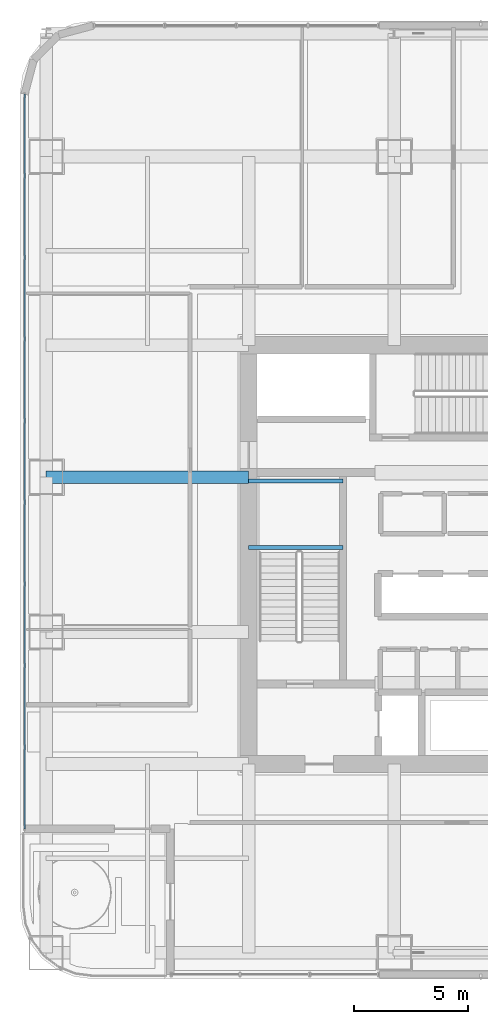
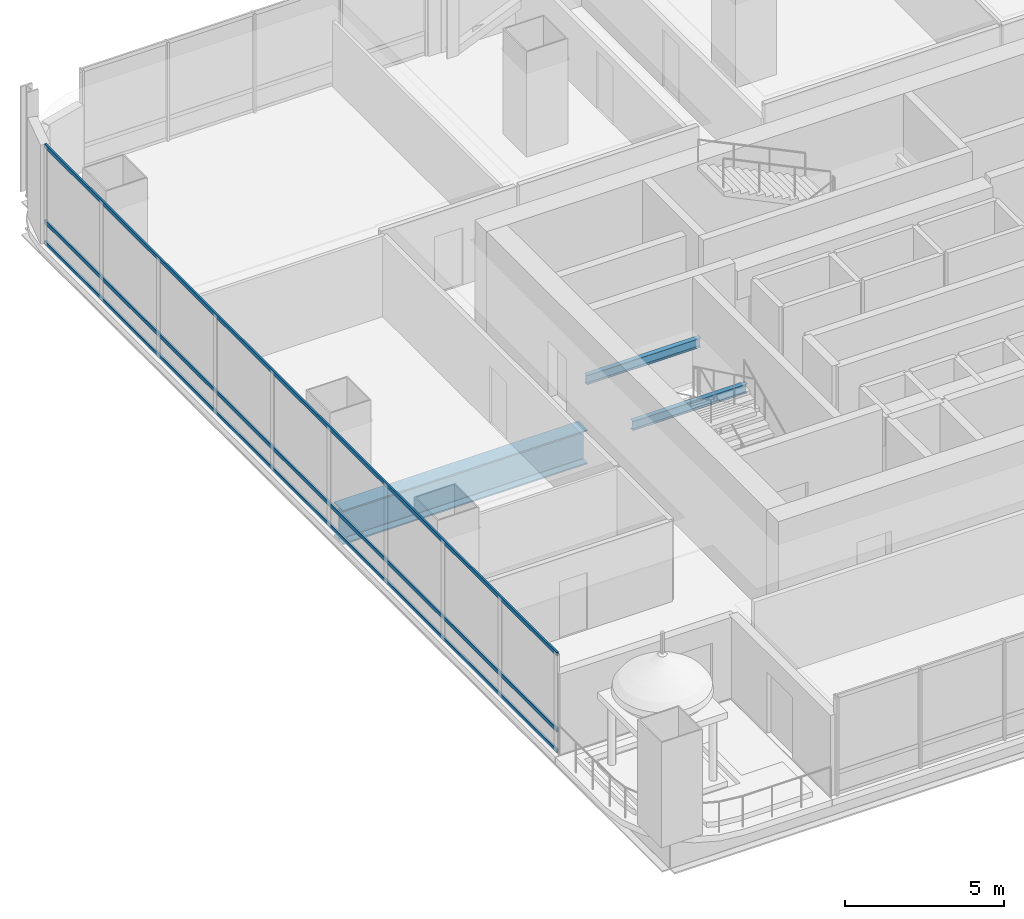
# One storey, part 8 of 37: 3 beams, 3 members, 1 element without a shape of its own.
"""IFC4 building model written with IfcOpenShell, lengths in metres."""

from ifc_helpers import new_model, si_unit, direction, frame, origin, origin_2d, place, context, subcontext, project, spatial, hollow_rectangle, i_section, extrude, material, material_profile, profile_set, type_object, element, aggregate, save


model = new_model("IFC4")

# Units and contexts
model_context = context("Model", 3, precision=1e-05, world=origin(), true_north=direction((0.0, 1.0)))
body_context = subcontext(model_context, "Body", "Model", "MODEL_VIEW")
ifc_project = project(units=[si_unit("LENGTHUNIT", "METRE"), si_unit("AREAUNIT", "SQUARE_METRE"), si_unit("VOLUMEUNIT", "CUBIC_METRE"), si_unit("PLANEANGLEUNIT", "RADIAN"), si_unit("MASSUNIT", "GRAM", prefix="KILO")], contexts=[model_context])

# Site, building, storey
site_placement = place(None, origin())
site = spatial("IfcSite", under=ifc_project, at=site_placement, CompositionType="ELEMENT")
building_placement = place(site_placement, origin())
building = spatial("IfcBuilding", under=site, at=building_placement, Name="Punatoya Terracotta Tower", CompositionType="ELEMENT")
storey_placement = place(building_placement, frame((0.0, 0.0, 109.199951171875)))
storey = spatial("IfcBuildingStorey", under=building, at=storey_placement, Name="L25", CompositionType="ELEMENT", Elevation=109.199951171875)

# Beams
ifc_material_1 = material(Name="Steel S355", Category="steel")
ifc_material_profile_1 = material_profile(ifc_material_1, i_section(OverallWidth=0.169921875, OverallDepth=0.360107421875, WebThickness=0.008056640625, FlangeThickness=0.0126953125, FilletRadius=0.01806640625, at=origin_2d()))
ifc_profile_set_1 = profile_set([ifc_material_profile_1], Name="Steel S355")
beam_type_1 = type_object("IfcBeamType", Name="BM-SEC-360", PredefinedType="JOIST", material=ifc_profile_set_1)
for number, where, z_axis, x_axis, name in (
    (1, (-10.199951171875, 0.320068359375, 1.64501953125), (1.0, 0.0, 0.0), (0.0, 1.0, 0.0), "BM-L25-ST-1-LD1A"),
    (2, (-10.199951171875, 3.22998046875, 1.64501953125), (1.0, 0.0, 0.0), (0.0, 1.0, 0.0), "BM-L25-ST-1-LD1B"),
):
    element("IfcBeam", number, at=place(storey_placement, frame(where, z_axis=z_axis, x_axis=x_axis)), inside=storey, type_object=beam_type_1, Name=name, PredefinedType="JOIST", context=body_context, shape_type="SweptSolid", body=[
        extrude(i_section(OverallWidth=0.169921875, OverallDepth=0.360107421875, WebThickness=0.008056640625, FlangeThickness=0.0126953125, FilletRadius=0.01806640625, at=origin_2d()), origin(), (0.0, 0.0, 1.0), 4.14990234375),
    ])
ifc_material_2 = material(Name="Steel S460", Category="steel")
ifc_material_profile_2 = material_profile(ifc_material_2, i_section(OverallWidth=0.56005859375, OverallDepth=1.320068359375, WebThickness=0.035888671875, FlangeThickness=0.054931640625, FilletRadius=0.01806640625, at=origin_2d()))
ifc_profile_set_2 = profile_set([ifc_material_profile_2], Name="Steel S460")
beam_type_2 = type_object("IfcBeamType", Name="BM-TG-BLK", PredefinedType="BEAM", material=ifc_profile_set_2)
beam_placement = place(storey_placement, frame((-19.10009765625, 3.39990234375, -0.89990234375), z_axis=(1.0, 0.0, 0.0), x_axis=(0.0, 1.0, 0.0)))
element("IfcBeam", 3, at=beam_placement, inside=storey, type_object=beam_type_2, Name="BM-L25-PR-WE", PredefinedType="BEAM", context=body_context, shape_type="SweptSolid", body=[
    extrude(i_section(OverallWidth=0.56005859375, OverallDepth=1.320068359375, WebThickness=0.035888671875, FlangeThickness=0.054931640625, FilletRadius=0.01806640625, at=origin_2d()), origin(), (0.0, 0.0, 1.0), 8.900146484375),
])

# Curtain wall, members
ifc_material_3 = material(Name="Aluminium 6063-T6 + Double Low-E Glass", Category="aluminium")
curtain_wall_type = type_object("IfcCurtainWallType", Name="CW-M1", PredefinedType="NOTDEFINED", material=ifc_material_3)
curtain_wall_placement = place(storey_placement, origin())
curtain_wall = element("IfcCurtainWall", 4, at=curtain_wall_placement, inside=storey, type_object=curtain_wall_type, Name="L25 Curtain Wall CW-L25-W12-1", PredefinedType="NOTDEFINED")
ifc_material_4 = material(Name="Aluminium 6063-T6", Category="aluminium")
ifc_material_profile_3 = material_profile(ifc_material_4, hollow_rectangle(XDim=0.068115234375, YDim=0.14990234375, WallThickness=0.00390625, at=origin_2d()))
ifc_profile_set_3 = profile_set([ifc_material_profile_3], Name="Aluminium 6063-T6")
member_type = type_object("IfcMemberType", Name="CW-TRN-TYP", PredefinedType="USERDEFINED", material=ifc_profile_set_3)
member_1_placement = place(storey_placement, frame((-20.050048828125, 20.23681640625, 0.0400390625), z_axis=(0.0, -1.0, 0.0), x_axis=(1.0, 0.0, 0.0)))
member_1 = element("IfcMember", 5, at=member_1_placement, type_object=member_type, Name="CW-L25-W12-1 Transom 1", ObjectType="TRANSOM", PredefinedType="USERDEFINED", context=body_context, shape_type="SweptSolid", body=[
    extrude(hollow_rectangle(XDim=0.068115234375, YDim=0.14990234375, WallThickness=0.00390625, at=origin_2d()), origin(), (0.0, 0.0, 1.0), 32.286865234375),
])
member_2_placement = place(storey_placement, frame((-20.050048828125, 20.23681640625, 0.85009765625), z_axis=(0.0, -1.0, 0.0), x_axis=(1.0, 0.0, 0.0)))
member_2 = element("IfcMember", 6, at=member_2_placement, type_object=member_type, Name="CW-L25-W12-1 Transom 2", ObjectType="TRANSOM", PredefinedType="USERDEFINED", context=body_context, shape_type="SweptSolid", body=[
    extrude(hollow_rectangle(XDim=0.068115234375, YDim=0.14990234375, WallThickness=0.00390625, at=origin_2d()), origin(), (0.0, 0.0, 1.0), 32.286865234375),
])
member_3_placement = place(storey_placement, frame((-20.050048828125, 20.23681640625, 3.77001953125), z_axis=(0.0, -1.0, 0.0), x_axis=(1.0, 0.0, 0.0)))
member_3 = element("IfcMember", 7, at=member_3_placement, type_object=member_type, Name="CW-L25-W12-1 Transom 3", ObjectType="TRANSOM", PredefinedType="USERDEFINED", context=body_context, shape_type="SweptSolid", body=[
    extrude(hollow_rectangle(XDim=0.068115234375, YDim=0.14990234375, WallThickness=0.00390625, at=origin_2d()), origin(), (0.0, 0.0, 1.0), 32.286865234375),
])
aggregate(curtain_wall, [member_1, member_2, member_3])

save(model, "model.ifc")
